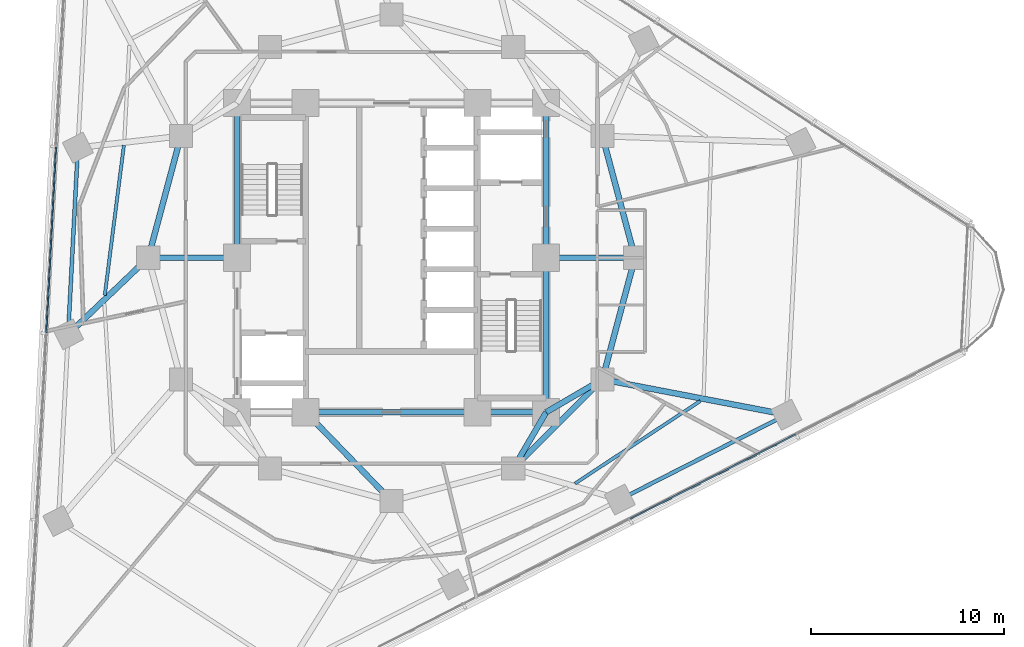
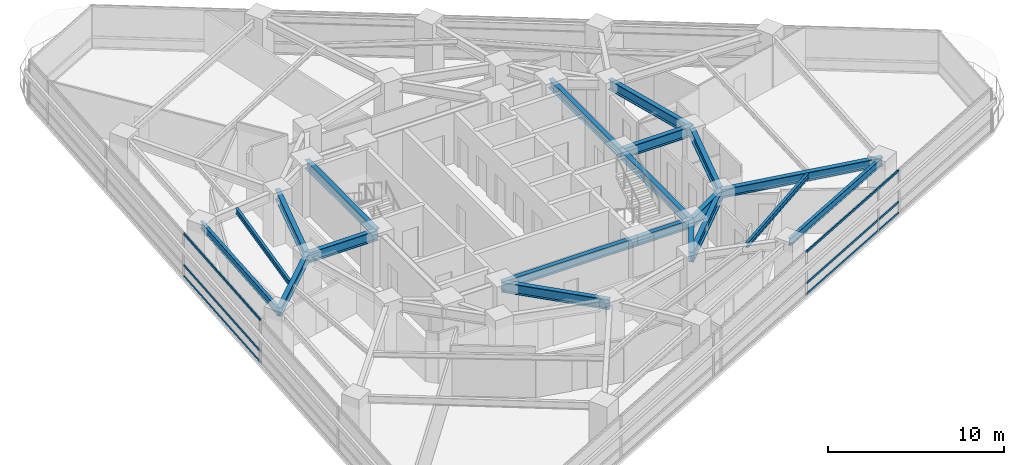
# One storey, part 3 of 14: 20 beams, 6 members, 2 elements without a shape of their own.
"""IFC4 building model written with IfcOpenShell, lengths in metres."""

from ifc_helpers import new_model, si_unit, direction, frame, origin, origin_2d, place, context, subcontext, project, spatial, rectangle, i_section, extrude, material, layer, layer_set, material_profile, profile_set, type_object, element, aggregate, save


model = new_model("IFC4")

# Units and contexts
model_context = context("Model", 3, precision=1e-05, world=origin(), true_north=direction((0.0, 1.0)))
body_context = subcontext(model_context, "Body", "Model", "MODEL_VIEW")
ifc_project = project(units=[si_unit("LENGTHUNIT", "METRE"), si_unit("AREAUNIT", "SQUARE_METRE"), si_unit("VOLUMEUNIT", "CUBIC_METRE"), si_unit("PLANEANGLEUNIT", "RADIAN"), si_unit("MASSUNIT", "GRAM", prefix="KILO")], contexts=[model_context])

# Site, building, storey
site_placement = place(None, origin())
site = spatial("IfcSite", under=ifc_project, at=site_placement, CompositionType="ELEMENT")
building_placement = place(site_placement, origin())
building = spatial("IfcBuilding", under=site, at=building_placement, Name="Terralouvre Media Tower", CompositionType="ELEMENT")
storey_placement = place(building_placement, frame((0.0, 0.0, 119.89990234375)))
storey = spatial("IfcBuildingStorey", under=building, at=storey_placement, Name="L30", CompositionType="ELEMENT", Elevation=119.89990234375)

# Beams
ifc_material_1 = material(Name="Structural steel S355J2", Category="steel")
ifc_material_profile_1 = material_profile(ifc_material_1, i_section(OverallWidth=0.169921875, OverallDepth=0.360107421875, WebThickness=0.008056640625, FlangeThickness=0.0126953125, at=origin_2d()), Name="IPE 360")
ifc_profile_set_1 = profile_set([ifc_material_profile_1], Name="Structural steel S355J2")
beam_type_1 = type_object("IfcBeamType", Name="Composite Floor Joist J-IPE360 (IPE 360)", PredefinedType="JOIST", material=ifc_profile_set_1)
beam_1_placement = place(storey_placement, frame((9.494873046875, -11.69140625, 3.320068359375), z_axis=(0.835078132026, 0.550131360142, 0.0), x_axis=(-0.550131360142, 0.835078132026, 0.0)))
element("IfcBeam", 1, at=beam_1_placement, inside=storey, type_object=beam_type_1, Name="L30 Framing Beam JT-L30-05", PredefinedType="JOIST", context=body_context, shape_type="SweptSolid", body=[
    extrude(i_section(OverallWidth=0.169921875, OverallDepth=0.360107421875, WebThickness=0.008056640625, FlangeThickness=0.0126953125, at=origin_2d()), origin(), (0.0, 0.0, 1.0), 7.75830078125),
])
beam_2_placement = place(storey_placement, frame((-13.864990234375, 5.81787109375, 3.320068359375), z_axis=(-0.126325695796, -0.991988819787, 0.0), x_axis=(0.991988819787, -0.126325695796, 0.0)))
element("IfcBeam", 2, at=beam_2_placement, inside=storey, type_object=beam_type_1, Name="L30 Framing Beam JT-L30-12", PredefinedType="JOIST", context=body_context, shape_type="SweptSolid", body=[
    extrude(i_section(OverallWidth=0.169921875, OverallDepth=0.360107421875, WebThickness=0.008056640625, FlangeThickness=0.0126953125, at=origin_2d()), origin(), (0.0, 0.0, 1.0), 7.8291015625),
])

# Curtain wall, members
ifc_material_2 = material(Name="Low-iron laminated double glazing with solar-control coating", Category="glass")
ifc_layer = layer(ifc_material_2, 0.1650390625, Name="Production Studio Tower Curtain Wall CW-03")
ifc_layer_set = layer_set([ifc_layer], Name="Low-iron laminated double glazing with solar-control coating")
curtain_wall_type = type_object("IfcCurtainWallType", Name="Production Studio Tower Curtain Wall CW-03", PredefinedType="NOTDEFINED", material=ifc_layer_set)
curtain_wall_1_placement = place(storey_placement, origin())
curtain_wall_1 = element("IfcCurtainWall", 3, at=curtain_wall_1_placement, inside=storey, type_object=curtain_wall_type, Name="L30 Facade Curtain Wall F0", PredefinedType="NOTDEFINED")
ifc_material_3 = material(Name="Anodised extruded aluminium 6063-T6", Category="aluminium")
ifc_material_profile_2 = material_profile(ifc_material_3, rectangle(XDim=0.074951171875, YDim=0.14990234375, at=origin_2d()), Name="ALU 75x150")
ifc_profile_set_2 = profile_set([ifc_material_profile_2], Name="Anodised extruded aluminium 6063-T6")
member_type = type_object("IfcMemberType", Name="Curtain-Wall Horizontal Transom TR-150", PredefinedType="USERDEFINED", material=ifc_profile_set_2)
member_1_placement = place(storey_placement, frame((12.359619140625, -13.513671875, 0.03759765625), z_axis=(0.891005548508, 0.453992414615, 0.0), x_axis=(-0.453992414615, 0.891005548508, 0.0)))
member_1 = element("IfcMember", 4, at=member_1_placement, type_object=member_type, Name="CW-03 transom 4.1", ObjectType="TRANSOM", PredefinedType="USERDEFINED", context=body_context, shape_type="SweptSolid", body=[
    extrude(rectangle(XDim=0.074951171875, YDim=0.14990234375, at=origin_2d()), origin(), (0.0, 0.0, 1.0), 9.60498046875),
])
member_2_placement = place(storey_placement, frame((12.359619140625, -13.513671875, 0.800048828125), z_axis=(0.891005548508, 0.453992414615, 0.0), x_axis=(-0.453992414615, 0.891005548508, 0.0)))
member_2 = element("IfcMember", 5, at=member_2_placement, type_object=member_type, Name="CW-03 transom 4.2", ObjectType="TRANSOM", PredefinedType="USERDEFINED", context=body_context, shape_type="SweptSolid", body=[
    extrude(rectangle(XDim=0.074951171875, YDim=0.14990234375, at=origin_2d()), origin(), (0.0, 0.0, 1.0), 9.60498046875),
])
member_3_placement = place(storey_placement, frame((12.359619140625, -13.513671875, 2.962646484375), z_axis=(0.891005548508, 0.453992414615, 0.0), x_axis=(-0.453992414615, 0.891005548508, 0.0)))
member_3 = element("IfcMember", 6, at=member_3_placement, type_object=member_type, Name="CW-03 transom 4.3", ObjectType="TRANSOM", PredefinedType="USERDEFINED", context=body_context, shape_type="SweptSolid", body=[
    extrude(rectangle(XDim=0.074951171875, YDim=0.14990234375, at=origin_2d()), origin(), (0.0, 0.0, 1.0), 9.60498046875),
])
aggregate(curtain_wall_1, [member_1, member_2, member_3])

curtain_wall_2_placement = place(storey_placement, origin())
curtain_wall_2 = element("IfcCurtainWall", 7, at=curtain_wall_2_placement, inside=storey, type_object=curtain_wall_type, Name="L30 Facade Curtain Wall F2", PredefinedType="NOTDEFINED")
member_4_placement = place(storey_placement, frame((-17.37646484375, 5.7197265625, 0.03759765625), z_axis=(-0.052336036535, -0.998629530547, 0.0), x_axis=(0.998629530547, -0.052336036535, 0.0)))
member_4 = element("IfcMember", 8, at=member_4_placement, type_object=member_type, Name="CW-03 transom 3.1", ObjectType="TRANSOM", PredefinedType="USERDEFINED", context=body_context, shape_type="SweptSolid", body=[
    extrude(rectangle(XDim=0.074951171875, YDim=0.14990234375, at=origin_2d()), origin(), (0.0, 0.0, 1.0), 9.60498046875),
])
member_5_placement = place(storey_placement, frame((-17.37646484375, 5.7197265625, 0.800048828125), z_axis=(-0.052336036535, -0.998629530547, 0.0), x_axis=(0.998629530547, -0.052336036535, 0.0)))
member_5 = element("IfcMember", 9, at=member_5_placement, type_object=member_type, Name="CW-03 transom 3.2", ObjectType="TRANSOM", PredefinedType="USERDEFINED", context=body_context, shape_type="SweptSolid", body=[
    extrude(rectangle(XDim=0.074951171875, YDim=0.14990234375, at=origin_2d()), origin(), (0.0, 0.0, 1.0), 9.60498046875),
])
member_6_placement = place(storey_placement, frame((-17.37646484375, 5.7197265625, 2.962646484375), z_axis=(-0.052336036535, -0.998629530547, 0.0), x_axis=(0.998629530547, -0.052336036535, 0.0)))
member_6 = element("IfcMember", 10, at=member_6_placement, type_object=member_type, Name="CW-03 transom 3.3", ObjectType="TRANSOM", PredefinedType="USERDEFINED", context=body_context, shape_type="SweptSolid", body=[
    extrude(rectangle(XDim=0.074951171875, YDim=0.14990234375, at=origin_2d()), origin(), (0.0, 0.0, 1.0), 9.60498046875),
])
aggregate(curtain_wall_2, [member_4, member_5, member_6])

# Beams
ifc_material_4 = material(Name="Structural steel S355J2", Category="steel")
ifc_material_profile_3 = material_profile(ifc_material_4, i_section(OverallWidth=0.199951171875, OverallDepth=0.5, WebThickness=0.01025390625, FlangeThickness=0.01611328125, at=origin_2d()), Name="IPE 500")
ifc_profile_set_3 = profile_set([ifc_material_profile_3], Name="Structural steel S355J2")
beam_type_2 = type_object("IfcBeamType", Name="Perimeter Spandrel Beam SPB-500 (IPE 500)", PredefinedType="SPANDREL", material=ifc_profile_set_3)
for number, where, z_axis, x_axis, name in (
    (11, (11.813232421875, -12.523681640625, 3.25), (0.891011779054, 0.453980186338, 0.0), (-0.453980186338, 0.891011779054, 0.0), "L30 Framing Beam BM-L30-PR05"),
    (12, (-16.245849609375, 5.697998046875, 3.25), (-0.052333792648, -0.998629648141, 0.0), (0.998629648141, -0.052333792648, 0.0), "L30 Framing Beam BM-L30-PR12"),
):
    element("IfcBeam", number, at=place(storey_placement, frame(where, z_axis=z_axis, x_axis=x_axis)), inside=storey, type_object=beam_type_2, Name=name, PredefinedType="SPANDREL", context=body_context, shape_type="SweptSolid", body=[
        extrude(i_section(OverallWidth=0.199951171875, OverallDepth=0.5, WebThickness=0.01025390625, FlangeThickness=0.01611328125, at=origin_2d()), origin(), (0.0, 0.0, 1.0), 9.679931640625),
    ])
ifc_material_5 = material(Name="Structural steel S460M", Category="steel")
ifc_material_profile_4 = material_profile(ifc_material_5, i_section(OverallWidth=0.300048828125, OverallDepth=0.60009765625, WebThickness=0.015380859375, FlangeThickness=0.030029296875, at=origin_2d()), Name="HEB 600")
ifc_profile_set_4 = profile_set([ifc_material_profile_4], Name="Structural steel S460M")
beam_type_3 = type_object("IfcBeamType", Name="Primary Floor Girder B-HEB600 (HEB 600)", PredefinedType="BEAM", material=ifc_profile_set_4)
beam_3_placement = place(storey_placement, frame((-4.449951171875, -8.0, 3.2001953125), z_axis=(1.0, 0.0, 0.0), x_axis=(0.0, 1.0, 0.0)))
element("IfcBeam", 13, at=beam_3_placement, inside=storey, type_object=beam_type_3, Name="L30 Framing Beam BM-L30-CPR02", PredefinedType="BEAM", context=body_context, shape_type="SweptSolid", body=[
    extrude(i_section(OverallWidth=0.300048828125, OverallDepth=0.60009765625, WebThickness=0.015380859375, FlangeThickness=0.030029296875, at=origin_2d()), origin(), (0.0, 0.0, 1.0), 8.89990234375),
])
beam_4_placement = place(storey_placement, frame((4.449951171875, -8.0, 3.2001953125), z_axis=(1.0, 0.0, 0.0), x_axis=(0.0, 1.0, 0.0)))
element("IfcBeam", 14, at=beam_4_placement, inside=storey, type_object=beam_type_3, Name="L30 Framing Beam BM-L30-CPR03", PredefinedType="BEAM", context=body_context, shape_type="SweptSolid", body=[
    extrude(i_section(OverallWidth=0.300048828125, OverallDepth=0.60009765625, WebThickness=0.015380859375, FlangeThickness=0.030029296875, at=origin_2d()), origin(), (0.0, 0.0, 1.0), 3.550048828125),
])
for number, where, z_axis, x_axis, name in (
    (15, (8.0, -8.0, 3.2001953125), (0.0, 1.0, 0.0), (-1.0, 0.0, 0.0), "L30 Framing Beam BM-L30-CPR04"),
    (16, (8.0, 0.0, 3.2001953125), (0.0, 1.0, 0.0), (-1.0, 0.0, 0.0), "L30 Framing Beam BM-L30-CPR05"),
    (17, (-8.0, 8.0, 3.2001953125), (0.0, -1.0, 0.0), (1.0, 0.0, 0.0), "L30 Framing Beam BM-L30-CPR09"),
):
    element("IfcBeam", number, at=place(storey_placement, frame(where, z_axis=z_axis, x_axis=x_axis)), inside=storey, type_object=beam_type_3, Name=name, PredefinedType="BEAM", context=body_context, shape_type="SweptSolid", body=[
        extrude(i_section(OverallWidth=0.300048828125, OverallDepth=0.60009765625, WebThickness=0.015380859375, FlangeThickness=0.030029296875, at=origin_2d()), origin(), (0.0, 0.0, 1.0), 8.0),
    ])
beam_5_placement = place(storey_placement, frame((-12.60009765625, 0.0, 3.2001953125), z_axis=(-0.722907652864, -0.690944661627, 0.0), x_axis=(0.690944661627, -0.722907652864, 0.0)))
element("IfcBeam", 18, at=beam_5_placement, inside=storey, type_object=beam_type_3, Name="L30 Framing Beam BM-L30-RD01", PredefinedType="BEAM", context=body_context, shape_type="SweptSolid", body=[
    extrude(i_section(OverallWidth=0.300048828125, OverallDepth=0.60009765625, WebThickness=0.015380859375, FlangeThickness=0.030029296875, at=origin_2d()), origin(), (0.0, 0.0, 1.0), 5.743896484375),
])
beam_6_placement = place(storey_placement, frame((10.911865234375, -6.300048828125, 3.2001953125), z_axis=(0.982061695862, -0.188559872511, 0.0), x_axis=(0.188559872511, 0.982061695862, 0.0)))
element("IfcBeam", 19, at=beam_6_placement, inside=storey, type_object=beam_type_3, Name="L30 Framing Beam BM-L30-RD06", PredefinedType="BEAM", context=body_context, shape_type="SweptSolid", body=[
    extrude(i_section(OverallWidth=0.300048828125, OverallDepth=0.60009765625, WebThickness=0.015380859375, FlangeThickness=0.030029296875, at=origin_2d()), origin(), (0.0, 0.0, 1.0), 9.700439453125),
])
ifc_material_6 = material(Name="Structural steel S460M", Category="steel")
ifc_material_profile_5 = material_profile(ifc_material_6, i_section(OverallWidth=0.300048828125, OverallDepth=0.699951171875, WebThickness=0.01708984375, FlangeThickness=0.031982421875, at=origin_2d()), Name="HEB 700")
ifc_profile_set_5 = profile_set([ifc_material_profile_5], Name="Structural steel S460M")
beam_type_4 = type_object("IfcBeamType", Name="Primary Floor Girder B-HEB700 (HEB 700)", PredefinedType="BEAM", material=ifc_profile_set_5)
beam_7_placement = place(storey_placement, frame((6.300048828125, -10.911865234375, 3.150146484375), z_axis=(0.707106781187, 0.707106781187, 0.0), x_axis=(-0.707106781187, 0.707106781187, 0.0)))
element("IfcBeam", 20, at=beam_7_placement, inside=storey, type_object=beam_type_4, Name="L30 Framing Beam BM-L30-MR04", PredefinedType="BEAM", context=body_context, shape_type="SweptSolid", body=[
    extrude(i_section(OverallWidth=0.300048828125, OverallDepth=0.699951171875, WebThickness=0.01708984375, FlangeThickness=0.031982421875, at=origin_2d()), origin(), (0.0, 0.0, 1.0), 6.52197265625),
])
for number, where, z_axis, x_axis, name in (
    (21, (10.911865234375, -6.300048828125, 3.150146484375), (0.258838989821, 0.965920481897, 0.0), (-0.965920481897, 0.258838989821, 0.0), "L30 Framing Beam BM-L30-MR05"),
    (22, (12.60009765625, 0.0, 3.150146484375), (-0.258838989821, 0.965920481897, 0.0), (-0.965920481897, -0.258838989821, 0.0), "L30 Framing Beam BM-L30-MR06"),
    (23, (-10.911865234375, 6.300048828125, 3.150146484375), (-0.258838989821, -0.965920481897, 0.0), (0.965920481897, -0.258838989821, 0.0), "L30 Framing Beam BM-L30-MR11"),
):
    element("IfcBeam", number, at=place(storey_placement, frame(where, z_axis=z_axis, x_axis=x_axis)), inside=storey, type_object=beam_type_4, Name=name, PredefinedType="BEAM", context=body_context, shape_type="SweptSolid", body=[
        extrude(i_section(OverallWidth=0.300048828125, OverallDepth=0.699951171875, WebThickness=0.01708984375, FlangeThickness=0.031982421875, at=origin_2d()), origin(), (0.0, 0.0, 1.0), 6.522216796875),
    ])
beam_8_placement = place(storey_placement, frame((-4.449951171875, -8.0, 3.150146484375), z_axis=(0.695279715726, -0.718739255155, 0.0), x_axis=(0.718739255155, 0.695279715726, 0.0)))
element("IfcBeam", 24, at=beam_8_placement, inside=storey, type_object=beam_type_4, Name="L30 Framing Beam BM-L30-CM03", PredefinedType="BEAM", context=body_context, shape_type="SweptSolid", body=[
    extrude(i_section(OverallWidth=0.300048828125, OverallDepth=0.699951171875, WebThickness=0.01708984375, FlangeThickness=0.031982421875, at=origin_2d()), origin(), (0.0, 0.0, 1.0), 6.400146484375),
])
for number, where, z_axis, x_axis, name in (
    (25, (8.0, -8.0, 3.150146484375), (-0.504172629717, -0.863602894532, 0.0), (0.863602894532, -0.504172629717, 0.0), "L30 Framing Beam BM-L30-CM04"),
    (26, (8.0, -8.0, 3.150146484375), (0.863602894532, 0.504172629717, 0.0), (-0.504172629717, 0.863602894532, 0.0), "L30 Framing Beam BM-L30-CM05"),
):
    element("IfcBeam", number, at=place(storey_placement, frame(where, z_axis=z_axis, x_axis=x_axis)), inside=storey, type_object=beam_type_4, Name=name, PredefinedType="BEAM", context=body_context, shape_type="SweptSolid", body=[
        extrude(i_section(OverallWidth=0.300048828125, OverallDepth=0.699951171875, WebThickness=0.01708984375, FlangeThickness=0.031982421875, at=origin_2d()), origin(), (0.0, 0.0, 1.0), 3.371826171875),
    ])
for number, where, z_axis, x_axis, name in (
    (27, (8.0, 0.0, 3.150146484375), (1.0, 0.0, 0.0), (0.0, 1.0, 0.0), "L30 Framing Beam BM-L30-CM06"),
    (28, (-8.0, 0.0, 3.150146484375), (-1.0, 0.0, 0.0), (0.0, -1.0, 0.0), "L30 Framing Beam BM-L30-CM12"),
):
    element("IfcBeam", number, at=place(storey_placement, frame(where, z_axis=z_axis, x_axis=x_axis)), inside=storey, type_object=beam_type_4, Name=name, PredefinedType="BEAM", context=body_context, shape_type="SweptSolid", body=[
        extrude(i_section(OverallWidth=0.300048828125, OverallDepth=0.699951171875, WebThickness=0.01708984375, FlangeThickness=0.031982421875, at=origin_2d()), origin(), (0.0, 0.0, 1.0), 4.60009765625),
    ])

save(model, "model.ifc")
